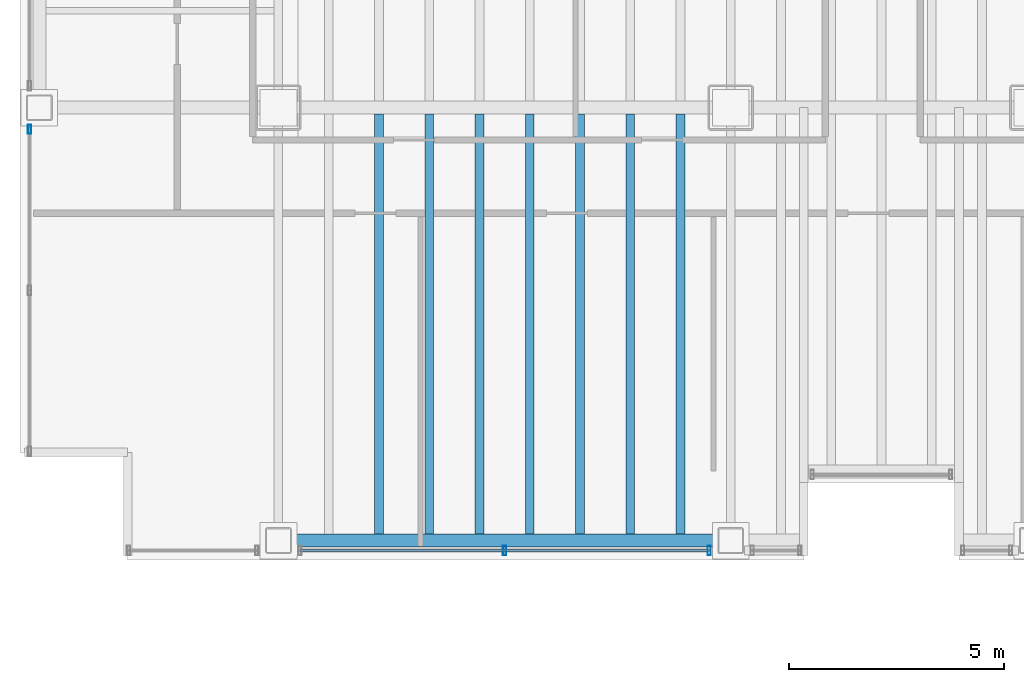
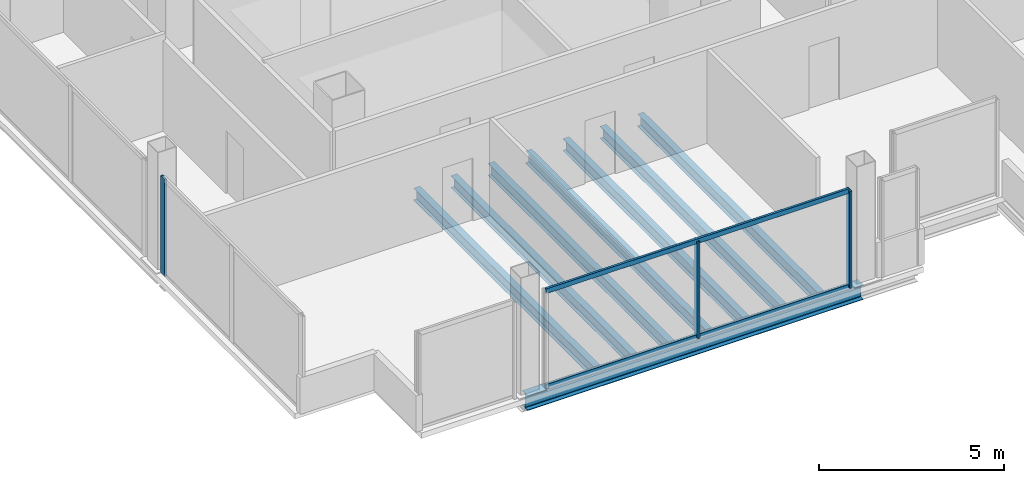
# One storey, part 3 of 22: 8 beams, 5 members, 2 elements without a shape of their own.
"""IFC4 building model written with IfcOpenShell, lengths in metres."""

from ifc_helpers import new_model, si_unit, direction, frame, origin, origin_2d, place, context, subcontext, project, spatial, hollow_rectangle, i_section, extrude, material, material_profile, profile_set, type_object, element, aggregate, save


model = new_model("IFC4")

# Units and contexts
model_context = context("Model", 3, precision=1e-05, world=origin(), true_north=direction((0.0, 1.0)))
body_context = subcontext(model_context, "Body", "Model", "MODEL_VIEW")
ifc_project = project(units=[si_unit("LENGTHUNIT", "METRE"), si_unit("AREAUNIT", "SQUARE_METRE"), si_unit("VOLUMEUNIT", "CUBIC_METRE"), si_unit("PLANEANGLEUNIT", "RADIAN"), si_unit("MASSUNIT", "GRAM", prefix="KILO")], contexts=[model_context])

# Site, building, storey
site_placement = place(None, origin())
site = spatial("IfcSite", under=ifc_project, at=site_placement, CompositionType="ELEMENT")
building_placement = place(site_placement, origin())
building = spatial("IfcBuilding", under=site, at=building_placement, Name="Noeulbin Bourse Tower", CompositionType="ELEMENT")
storey_placement = place(building_placement, frame((0.0, 0.0, 88.89990234375)))
storey = spatial("IfcBuildingStorey", under=building, at=storey_placement, Name="L22", CompositionType="ELEMENT", Elevation=88.89990234375)

# Beams
ifc_material_1 = material(Name="Steel S355", Category="steel")
ifc_material_profile_1 = material_profile(ifc_material_1, i_section(OverallWidth=0.199951171875, OverallDepth=0.39990234375, WebThickness=0.008056640625, FlangeThickness=0.012939453125, FilletRadius=0.01611328125, at=origin_2d()), Name="H-400x200x8x13", Category="LoadBearing")
ifc_profile_set_1 = profile_set([ifc_material_profile_1], Name="Steel S355")
beam_type_1 = type_object("IfcBeamType", Name="BM-SEC-400", PredefinedType="BEAM", material=ifc_profile_set_1)
for number, where, z_axis, x_axis, name in (
    (1, (15.833251953125, 10.10009765625, -0.3798828125), (0.0, 1.0, 0.0), (-1.0, 0.0, 0.0), "Tower Composite Joist L22-04"),
    (2, (17.0, 10.10009765625, -0.3798828125), (0.0, 1.0, 0.0), (-1.0, 0.0, 0.0), "Tower Composite Joist L22-07"),
    (3, (18.166748046875, 10.10009765625, -0.3798828125), (0.0, 1.0, 0.0), (-1.0, 0.0, 0.0), "Tower Composite Joist L22-10"),
    (4, (19.333251953125, 10.10009765625, -0.3798828125), (0.0, 1.0, 0.0), (-1.0, 0.0, 0.0), "Tower Composite Joist L22-13"),
    (5, (20.5, 10.10009765625, -0.3798828125), (0.0, 1.0, 0.0), (-1.0, 0.0, 0.0), "Tower Composite Joist L22-16"),
    (6, (21.666748046875, 10.10009765625, -0.3798828125), (0.0, 1.0, 0.0), (-1.0, 0.0, 0.0), "Tower Composite Joist L22-19"),
    (7, (22.833251953125, 10.10009765625, -0.3798828125), (0.0, 1.0, 0.0), (-1.0, 0.0, 0.0), "Tower Composite Joist L22-22"),
):
    element("IfcBeam", number, at=place(storey_placement, frame(where, z_axis=z_axis, x_axis=x_axis)), inside=storey, type_object=beam_type_1, Name=name, PredefinedType="BEAM", context=body_context, shape_type="SweptSolid", body=[
        extrude(i_section(OverallWidth=0.199951171875, OverallDepth=0.39990234375, WebThickness=0.008056640625, FlangeThickness=0.012939453125, FilletRadius=0.01611328125, at=origin_2d()), origin(), (0.0, 0.0, 1.0), 9.75),
    ])
ifc_material_profile_2 = material_profile(ifc_material_1, i_section(OverallWidth=0.300048828125, OverallDepth=0.488037109375, WebThickness=0.010986328125, FlangeThickness=0.01806640625, FilletRadius=0.02197265625, at=origin_2d()), Name="H-488x300x11x18", Category="LoadBearing")
ifc_profile_set_2 = profile_set([ifc_material_profile_2], Name="Steel S355")
beam_type_2 = type_object("IfcBeamType", Name="BM-SPN-488", PredefinedType="SPANDREL", material=ifc_profile_set_2)
beam_placement = place(storey_placement, frame((13.5, 9.949951171875, -0.423828125), z_axis=(1.0, 0.0, 0.0), x_axis=(0.0, 1.0, 0.0)))
element("IfcBeam", 8, at=beam_placement, inside=storey, type_object=beam_type_2, Name="South Spandrel L22-1", PredefinedType="SPANDREL", context=body_context, shape_type="SweptSolid", body=[
    extrude(i_section(OverallWidth=0.300048828125, OverallDepth=0.488037109375, WebThickness=0.010986328125, FlangeThickness=0.01806640625, FilletRadius=0.02197265625, at=origin_2d()), origin(), (0.0, 0.0, 1.0), 10.5),
])

# Curtain wall, members
ifc_material_2 = material(Name="Dark Solar-Control Double Glazing", Category="glass")
curtain_wall_type = type_object("IfcCurtainWallType", Name="CW-SYS-2", PredefinedType="NOTDEFINED", material=ifc_material_2)
curtain_wall_1_placement = place(storey_placement, origin())
curtain_wall_1 = element("IfcCurtainWall", 9, at=curtain_wall_1_placement, inside=storey, type_object=curtain_wall_type, Name="Unitised Curtain Wall CW-L22-S1-S2", PredefinedType="NOTDEFINED")
ifc_material_3 = material(Name="Anodised Aluminium 6063-T6", Category="aluminium")
ifc_material_profile_3 = material_profile(ifc_material_3, hollow_rectangle(XDim=0.074951171875, YDim=0.219970703125, WallThickness=0.0048828125, InnerFilletRadius=0.00244140625, OuterFilletRadius=0.0048828125, at=origin_2d()), Name="ALU-MULL-75x220x5", Category="LoadBearing")
ifc_profile_set_3 = profile_set([ifc_material_profile_3], Name="Anodised Aluminium 6063-T6")
member_type_1 = type_object("IfcMemberType", Name="CW-SYS-2-MUL", PredefinedType="MULLION", material=ifc_profile_set_3)
member_1_placement = place(storey_placement, frame((18.75, 9.719970703125, -0.02001953125), z_axis=(0.0, 0.0, 1.0), x_axis=(1.0, 0.0, 0.0)))
member_1 = element("IfcMember", 10, at=member_1_placement, type_object=member_type_1, Name="Curtain Wall Mullion CW-L22-S1-S2-M01", PredefinedType="MULLION", context=body_context, shape_type="SweptSolid", body=[
    extrude(hollow_rectangle(XDim=0.074951171875, YDim=0.219970703125, WallThickness=0.0048828125, InnerFilletRadius=0.00244140625, OuterFilletRadius=0.0048828125, at=origin_2d()), origin(), (0.0, 0.0, 1.0), 3.22021484375),
])
member_2_placement = place(storey_placement, frame((23.5, 9.719970703125, -0.02001953125), z_axis=(0.0, 0.0, 1.0), x_axis=(1.0, 0.0, 0.0)))
member_2 = element("IfcMember", 11, at=member_2_placement, type_object=member_type_1, Name="Curtain Wall Mullion CW-L22-S1-S2-M02", PredefinedType="MULLION", context=body_context, shape_type="SweptSolid", body=[
    extrude(hollow_rectangle(XDim=0.074951171875, YDim=0.219970703125, WallThickness=0.0048828125, InnerFilletRadius=0.00244140625, OuterFilletRadius=0.0048828125, at=origin_2d()), origin(), (0.0, 0.0, 1.0), 3.22021484375),
])

# Curtain wall, member
curtain_wall_2_placement = place(storey_placement, origin())
curtain_wall_2 = element("IfcCurtainWall", 12, at=curtain_wall_2_placement, inside=storey, type_object=curtain_wall_type, Name="Unitised Curtain Wall CW-L22-W-S1", PredefinedType="NOTDEFINED")
member_3_placement = place(storey_placement, frame((7.719970703125, 19.5, -0.02001953125), z_axis=(0.0, 0.0, 1.0), x_axis=(1.0, 0.0, 0.0)))
member_3 = element("IfcMember", 13, at=member_3_placement, type_object=member_type_1, Name="Curtain Wall Mullion CW-L22-W-S1-M02", PredefinedType="MULLION", context=body_context, shape_type="SweptSolid", body=[
    extrude(hollow_rectangle(XDim=0.074951171875, YDim=0.219970703125, WallThickness=0.0048828125, InnerFilletRadius=0.00244140625, OuterFilletRadius=0.0048828125, at=origin_2d()), origin(), (0.0, 0.0, 1.0), 3.22021484375),
])
aggregate(curtain_wall_2, [member_3])

# Member
ifc_material_profile_4 = material_profile(ifc_material_3, hollow_rectangle(XDim=0.074951171875, YDim=0.159912109375, WallThickness=0.0048828125, InnerFilletRadius=0.00244140625, OuterFilletRadius=0.0048828125, at=origin_2d()), Name="ALU-TRAN-75x160x5", Category="LoadBearing")
ifc_profile_set_4 = profile_set([ifc_material_profile_4], Name="Anodised Aluminium 6063-T6")
member_type_2 = type_object("IfcMemberType", Name="CW-SYS-2-TRN", PredefinedType="USERDEFINED", material=ifc_profile_set_4)
member_4_placement = place(storey_placement, frame((14.010009765625, 9.719970703125, 0.010009765625), z_axis=(1.0, 0.0, 0.0), x_axis=(0.0, 1.0, 0.0)))
member_4 = element("IfcMember", 14, at=member_4_placement, type_object=member_type_2, Name="Curtain Wall Transom CW-L22-S1-S2-T00", ObjectType="TRANSOM", PredefinedType="USERDEFINED", context=body_context, shape_type="SweptSolid", body=[
    extrude(hollow_rectangle(XDim=0.074951171875, YDim=0.159912109375, WallThickness=0.0048828125, InnerFilletRadius=0.00244140625, OuterFilletRadius=0.0048828125, at=origin_2d()), origin(), (0.0, 0.0, 1.0), 9.47998046875),
])

member_5_placement = place(storey_placement, frame((14.010009765625, 9.719970703125, 3.170166015625), z_axis=(1.0, 0.0, 0.0), x_axis=(0.0, 1.0, 0.0)))
member_5 = element("IfcMember", 15, at=member_5_placement, type_object=member_type_2, Name="Curtain Wall Transom CW-L22-S1-S2-T01", ObjectType="TRANSOM", PredefinedType="USERDEFINED", context=body_context, shape_type="SweptSolid", body=[
    extrude(hollow_rectangle(XDim=0.074951171875, YDim=0.159912109375, WallThickness=0.0048828125, InnerFilletRadius=0.00244140625, OuterFilletRadius=0.0048828125, at=origin_2d()), origin(), (0.0, 0.0, 1.0), 9.47998046875),
])

aggregate(curtain_wall_1, [member_1, member_2, member_4, member_5])

save(model, "model.ifc")
